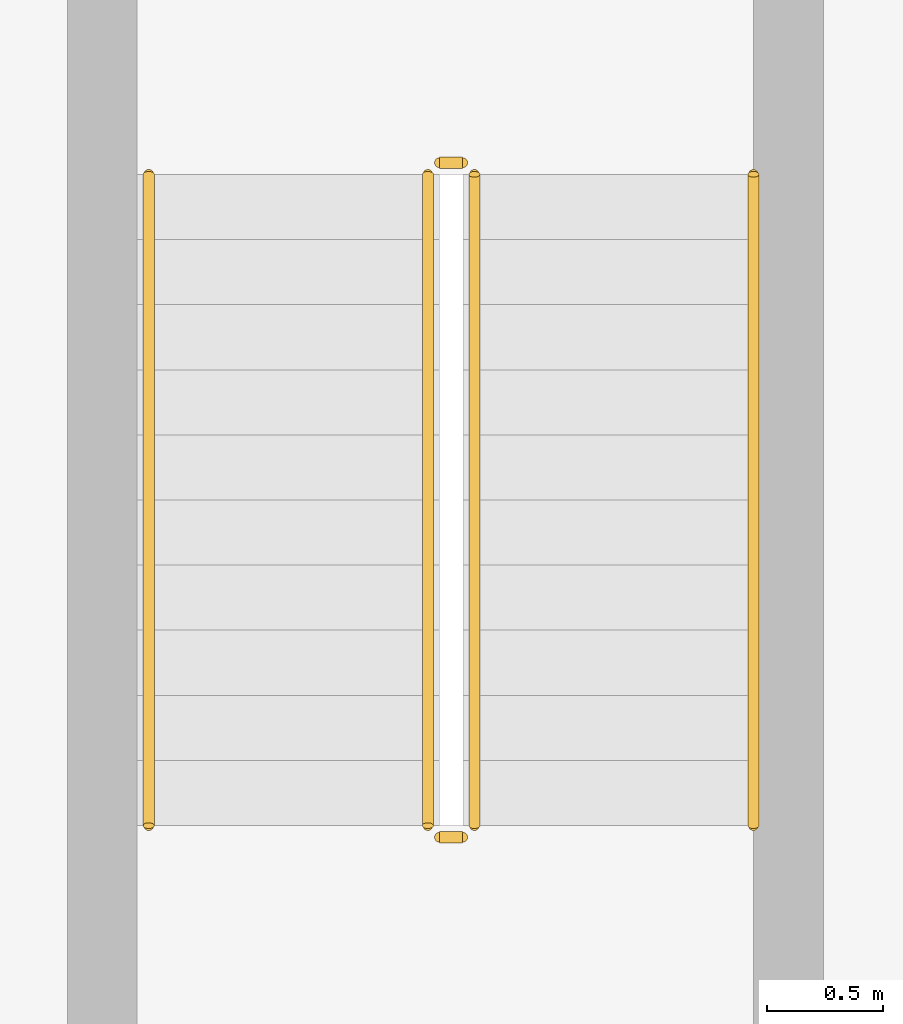
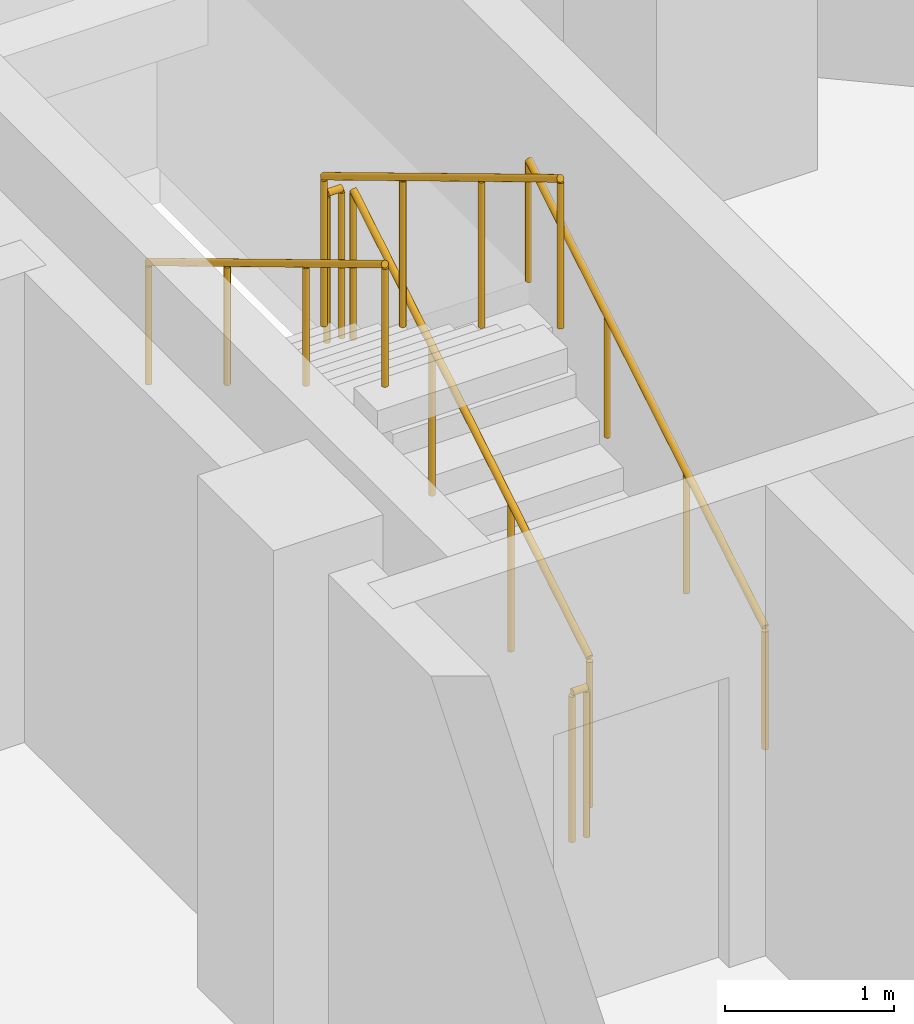
# One storey, part 23 of 23: 6 railings.
"""IFC4 building model written with IfcOpenShell, lengths in metres."""

from ifc_helpers import new_model, si_unit, direction, frame, origin, origin_2d, place, context, subcontext, project, spatial, circle, extrude, material, type_object, element, save


model = new_model("IFC4")

# Units and contexts
model_context = context("Model", 3, precision=1e-05, world=origin(), true_north=direction((0.0, 1.0)))
body_context = subcontext(model_context, "Body", "Model", "MODEL_VIEW")
ifc_project = project(units=[si_unit("LENGTHUNIT", "METRE"), si_unit("AREAUNIT", "SQUARE_METRE"), si_unit("VOLUMEUNIT", "CUBIC_METRE"), si_unit("PLANEANGLEUNIT", "RADIAN"), si_unit("MASSUNIT", "GRAM", prefix="KILO")], contexts=[model_context])

# Site, building, storey
site_placement = place(None, origin())
site = spatial("IfcSite", under=ifc_project, at=site_placement, CompositionType="ELEMENT")
building_placement = place(site_placement, origin())
building = spatial("IfcBuilding", under=site, at=building_placement, Name="Ogive Portal Towers", CompositionType="ELEMENT")
storey_placement = place(building_placement, frame((0.0, 0.0, 168.10009765625)))
storey = spatial("IfcBuildingStorey", under=building, at=storey_placement, Name="L41", CompositionType="ELEMENT", Elevation=168.10009765625)

# Railings
ifc_material_1 = material(Name="Stainless steel balustrade", Category="steel")
railing_type_1 = type_object("IfcRailingType", Name="INT-GUARD", PredefinedType="GUARDRAIL", material=ifc_material_1)
railing_1_placement = place(storey_placement, frame((42.949951171875, 67.199951171875, 0.16796875)))
element("IfcRailing", 1, at=railing_1_placement, inside=storey, type_object=railing_type_1, Name="L41 ST-A3 stair guard 1", PredefinedType="GUARDRAIL", context=body_context, shape_type="SweptSolid", body=[
    extrude(circle(Radius=0.02392578125, at=origin_2d()), frame((0.0, 0.0, 1.076171875), z_axis=(0.0, 0.857242210791, 0.514913383045), x_axis=(-1.0, 0.0, 0.0)), (0.0, 0.0, 1.0), 3.266357421875),
    extrude(circle(Radius=0.02099609375, at=origin_2d()), origin(), (0.0, 0.0, 1.0), 1.052001953125),
    extrude(circle(Radius=0.02099609375, at=origin_2d()), frame((0.0, 0.933349609375, 0.560546875)), (0.0, 0.0, 1.0), 1.052001953125),
    extrude(circle(Radius=0.02099609375, at=origin_2d()), frame((0.0, 1.86669921875, 1.121337890625)), (0.0, 0.0, 1.0), 1.052001953125),
    extrude(circle(Radius=0.02099609375, at=origin_2d()), frame((0.0, 2.800048828125, 1.681884765625)), (0.0, 0.0, 1.0), 1.052001953125),
])
railing_2_placement = place(storey_placement, frame((42.89990234375, 70.050048828125, 1.849853515625)))
element("IfcRailing", 2, at=railing_2_placement, inside=storey, type_object=railing_type_1, Name="L41 ST-A3 stair guard 2", PredefinedType="GUARDRAIL", context=body_context, shape_type="SweptSolid", body=[
    extrude(circle(Radius=0.02392578125, at=origin_2d()), frame((0.0, 0.0, 1.076171875), z_axis=(-1.0, 0.0, 0.0), x_axis=(0.0, -1.0, 0.0)), (0.0, 0.0, 1.0), 0.099853515625),
    extrude(circle(Radius=0.02099609375, at=origin_2d()), origin(), (0.0, 0.0, 1.0), 1.052001953125),
    extrude(circle(Radius=0.02099609375, at=origin_2d()), frame((-0.099853515625, 0.0, 0.0)), (0.0, 0.0, 1.0), 1.052001953125),
])
railing_3_placement = place(storey_placement, frame((42.75, 70.0, 2.01806640625)))
element("IfcRailing", 3, at=railing_3_placement, inside=storey, type_object=railing_type_1, Name="L41 ST-A3 stair guard 3", PredefinedType="GUARDRAIL", context=body_context, shape_type="SweptSolid", body=[
    extrude(circle(Radius=0.02392578125, at=origin_2d()), frame((0.0, 0.0, 1.076171875), z_axis=(0.0, -0.857242210791, 0.514913383045), x_axis=(1.0, 0.0, 0.0)), (0.0, 0.0, 1.0), 3.266357421875),
    extrude(circle(Radius=0.02099609375, at=origin_2d()), origin(), (0.0, 0.0, 1.0), 1.052001953125),
    extrude(circle(Radius=0.02099609375, at=origin_2d()), frame((0.0, -0.933349609375, 0.560546875)), (0.0, 0.0, 1.0), 1.052001953125),
    extrude(circle(Radius=0.02099609375, at=origin_2d()), frame((0.0, -1.86669921875, 1.121337890625)), (0.0, 0.0, 1.0), 1.052001953125),
    extrude(circle(Radius=0.02099609375, at=origin_2d()), frame((0.0, -2.800048828125, 1.681884765625)), (0.0, 0.0, 1.0), 1.052001953125),
])
railing_4_placement = place(storey_placement, frame((42.89990234375, 67.14990234375, 0.0)))
element("IfcRailing", 4, at=railing_4_placement, inside=storey, type_object=railing_type_1, Name="L41 ST-A3 stair guard 4", PredefinedType="GUARDRAIL", context=body_context, shape_type="SweptSolid", body=[
    extrude(circle(Radius=0.02392578125, at=origin_2d()), frame((0.0, 0.0, 1.076171875), z_axis=(-1.0, 0.0, 0.0), x_axis=(0.0, -1.0, 0.0)), (0.0, 0.0, 1.0), 0.099853515625),
    extrude(circle(Radius=0.02099609375, at=origin_2d()), origin(), (0.0, 0.0, 1.0), 1.052001953125),
    extrude(circle(Radius=0.02099609375, at=origin_2d()), frame((-0.099853515625, 0.0, 0.0)), (0.0, 0.0, 1.0), 1.052001953125),
])
ifc_material_2 = material(Name="Stainless steel handrail", Category="steel")
railing_type_2 = type_object("IfcRailingType", Name="INT-HANDRAIL", PredefinedType="HANDRAIL", material=ifc_material_2)
railing_5_placement = place(storey_placement, frame((44.14990234375, 67.199951171875, 0.16796875)))
element("IfcRailing", 5, at=railing_5_placement, inside=storey, type_object=railing_type_2, Name="L41 ST-A3 stair handrail 1", PredefinedType="HANDRAIL", context=body_context, shape_type="SweptSolid", body=[
    extrude(circle(Radius=0.02392578125, at=origin_2d()), frame((0.0, 0.0, 0.8759765625), z_axis=(0.0, 0.857242210791, 0.514913383045), x_axis=(-1.0, 0.0, 0.0)), (0.0, 0.0, 1.0), 3.266357421875),
    extrude(circle(Radius=0.02099609375, at=origin_2d()), origin(), (0.0, 0.0, 1.0), 0.851806640625),
    extrude(circle(Radius=0.02099609375, at=origin_2d()), frame((0.0, 0.933349609375, 0.560546875)), (0.0, 0.0, 1.0), 0.851806640625),
    extrude(circle(Radius=0.02099609375, at=origin_2d()), frame((0.0, 1.86669921875, 1.121337890625)), (0.0, 0.0, 1.0), 0.851806640625),
    extrude(circle(Radius=0.02099609375, at=origin_2d()), frame((0.0, 2.800048828125, 1.681884765625)), (0.0, 0.0, 1.0), 0.851806640625),
])
railing_6_placement = place(storey_placement, frame((41.550048828125, 70.0, 2.01806640625)))
element("IfcRailing", 6, at=railing_6_placement, inside=storey, type_object=railing_type_2, Name="L41 ST-A3 stair handrail 2", PredefinedType="HANDRAIL", context=body_context, shape_type="SweptSolid", body=[
    extrude(circle(Radius=0.02392578125, at=origin_2d()), frame((0.0, 0.0, 0.8759765625), z_axis=(0.0, -0.857242210791, 0.514913383045), x_axis=(1.0, 0.0, 0.0)), (0.0, 0.0, 1.0), 3.266357421875),
    extrude(circle(Radius=0.02099609375, at=origin_2d()), origin(), (0.0, 0.0, 1.0), 0.851806640625),
    extrude(circle(Radius=0.02099609375, at=origin_2d()), frame((0.0, -0.933349609375, 0.560546875)), (0.0, 0.0, 1.0), 0.851806640625),
    extrude(circle(Radius=0.02099609375, at=origin_2d()), frame((0.0, -1.86669921875, 1.121337890625)), (0.0, 0.0, 1.0), 0.851806640625),
    extrude(circle(Radius=0.02099609375, at=origin_2d()), frame((0.0, -2.800048828125, 1.681884765625)), (0.0, 0.0, 1.0), 0.851806640625),
])

save(model, "model.ifc")
